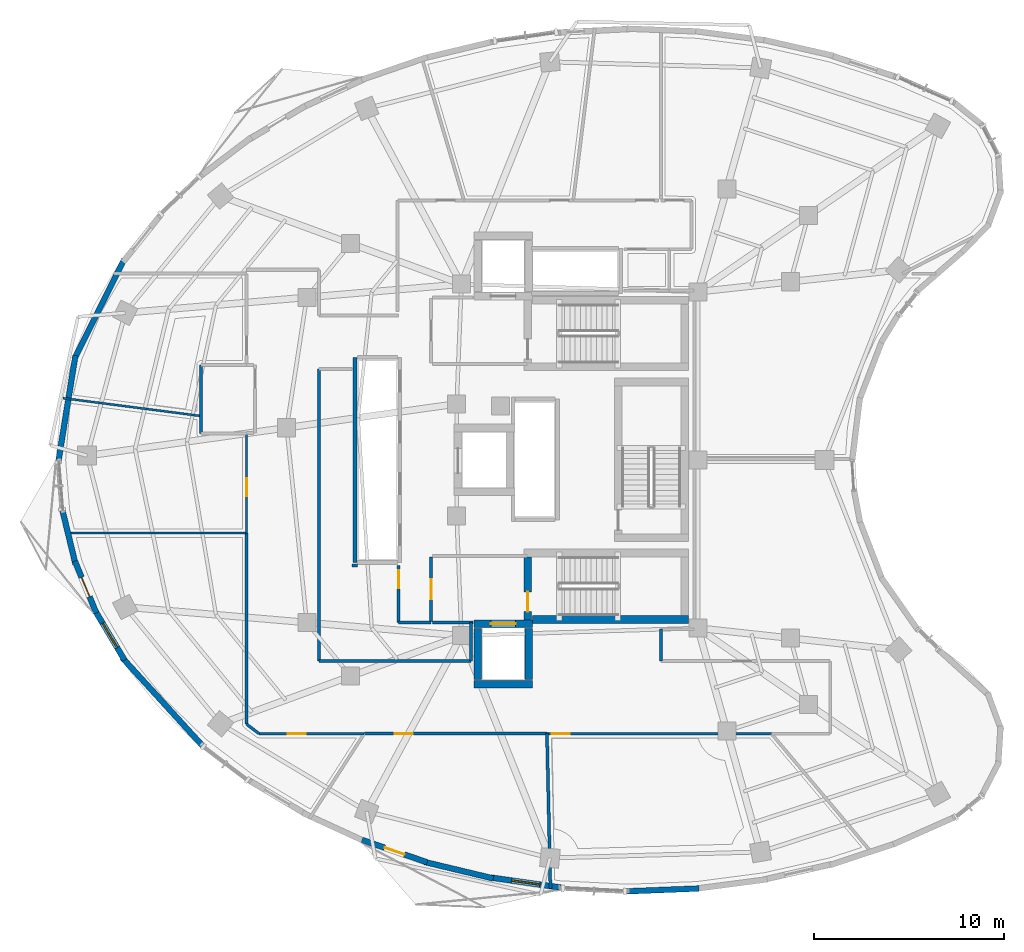
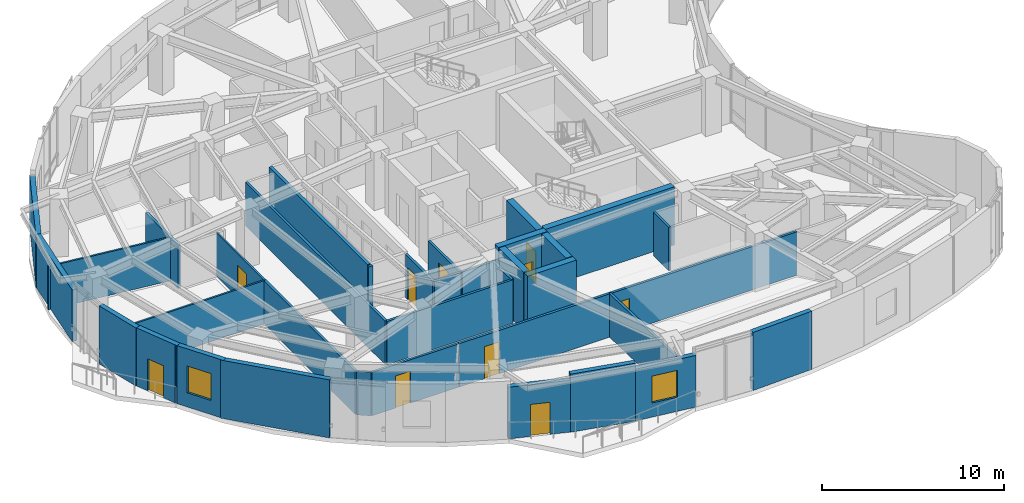
# One storey, part 8 of 15: 36 walls, 10 doors, 2 windows, 12 openings.
"""IFC4 building model written with IfcOpenShell, lengths in metres."""

from ifc_helpers import new_model, si_unit, direction, frame, frame_2d, origin, place, context, subcontext, project, spatial, rectangle, extrude, material, layer, layer_set, type_object, element, fill, save


model = new_model("IFC4")

# Units and contexts
model_context = context("Model", 3, precision=1e-05, world=origin(), true_north=direction((0.0, 1.0)))
body_context = subcontext(model_context, "Body", "Model", "MODEL_VIEW")
ifc_project = project(units=[si_unit("LENGTHUNIT", "METRE"), si_unit("AREAUNIT", "SQUARE_METRE"), si_unit("VOLUMEUNIT", "CUBIC_METRE"), si_unit("PLANEANGLEUNIT", "RADIAN"), si_unit("MASSUNIT", "GRAM", prefix="KILO")], contexts=[model_context])

# Site, building, storey
site_placement = place(None, origin())
site = spatial("IfcSite", under=ifc_project, at=site_placement, CompositionType="ELEMENT")
building_placement = place(site_placement, origin())
building = spatial("IfcBuilding", under=site, at=building_placement, Name="Korentha Bioscience Tower", CompositionType="ELEMENT")
storey_placement = place(building_placement, frame((0.0, 0.0, 226.800048828125)))
storey = spatial("IfcBuildingStorey", under=building, at=storey_placement, Name="L52", CompositionType="ELEMENT", Elevation=226.800048828125)

# Wall, opening, door
ifc_material_1 = material(Name="Double-Stud Acoustic Gypsum", Category="gypsum")
ifc_layer_1 = layer(ifc_material_1, 0.14990234375, Name="Double-Stud Acoustic Gypsum")
ifc_layer_set_1 = layer_set([ifc_layer_1], Name="Double-Stud Acoustic Gypsum (IW-L150)")
wall_type_1 = type_object("IfcWallType", Name="Acoustic Laboratory Partition Wall 150", PredefinedType="PARTITIONING", material=ifc_layer_set_1)
wall_1_placement = place(storey_placement, frame((21.7900390625, 21.43994140625, 0.0), z_axis=(0.0, 0.0, 1.0), x_axis=(0.0, -1.0, 0.0)))
wall_1 = element("IfcWall", 1, at=wall_1_placement, inside=storey, type_object=wall_type_1, Name="L52 Research Colloquium Seminar Room 02 Entrance Wall", PredefinedType="PARTITIONING", context=body_context, shape_type="SweptSolid", body=[
    extrude(rectangle(XDim=2.989990234375, YDim=0.14990234375, at=frame_2d((1.4951171875, 0.0))), origin(), (0.0, 0.0, 1.0), 2.909912109375),
])
opening_1_placement = place(wall_1_placement, frame((0.239990234375, 0.0, 0.0)))
opening_1 = element("IfcOpeningElement", 2, at=opening_1_placement, cuts=wall_1, Name="Opening ID-10R", PredefinedType="OPENING", context=body_context, shape_type="SweptSolid", body=[
    extrude(rectangle(XDim=0.949951171875, YDim=2.14990234375, at=frame_2d((0.47509765625, 1.074951171875))), frame((0.0, 0.08984375, 0.0), z_axis=(0.0, -1.0, 0.0), x_axis=(1.0, 0.0, 0.0)), (0.0, 0.0, 1.0), 0.1796875),
])
ifc_material_2 = material(Name="Phenolic Laminate Timber Core", Category="wood")
door_type_1 = type_object("IfcDoorType", Name="Laboratory Single Leaf Door 950x2150 Right", OperationType="SINGLE_SWING_RIGHT", PredefinedType="DOOR", material=ifc_material_2)
door_1_placement = place(opening_1_placement, origin())
door_1 = element("IfcDoor", 3, at=door_1_placement, inside=storey, type_object=door_type_1, Name="L52 Research Colloquium Seminar Room 02 Door", OperationType="SINGLE_SWING_RIGHT", OverallHeight=2.14990234375, OverallWidth=0.949951171875, PredefinedType="DOOR", context=body_context, shape_type="SweptSolid", body=[
    extrude(rectangle(XDim=0.949951171875, YDim=2.14990234375, at=frame_2d((0.47509765625, 1.074951171875))), frame((0.0, 0.02490234375, 0.0), z_axis=(0.0, -1.0, 0.0), x_axis=(1.0, 0.0, 0.0)), (0.0, 0.0, 1.0), 0.050048828125),
])
fill(opening_1, door_1)

wall_2_placement = place(storey_placement, frame((14.454345703125, 12.590087890625, 0.0), z_axis=(0.0, 0.0, 1.0), x_axis=(1.0, 0.0, 0.0)))
wall_2 = element("IfcWall", 4, at=wall_2_placement, inside=storey, type_object=wall_type_1, Name="L52 Staff Pantry Kitchenette 03 Entrance Wall", PredefinedType="PARTITIONING", context=body_context, shape_type="SweptSolid", body=[
    extrude(rectangle(XDim=5.526611328125, YDim=0.14990234375, at=frame_2d((2.76318359375, 0.0))), origin(), (0.0, 0.0, 1.0), 2.909912109375),
])
opening_2_placement = place(wall_2_placement, frame((1.49560546875, 0.0, 0.0)))
opening_2 = element("IfcOpeningElement", 5, at=opening_2_placement, cuts=wall_2, Name="Opening ID-10L", PredefinedType="OPENING", context=body_context, shape_type="SweptSolid", body=[
    extrude(rectangle(XDim=0.949951171875, YDim=2.14990234375, at=frame_2d((0.47509765625, 1.074951171875))), frame((0.0, 0.08984375, 0.0), z_axis=(0.0, -1.0, 0.0), x_axis=(1.0, 0.0, 0.0)), (0.0, 0.0, 1.0), 0.1796875),
])
door_type_2 = type_object("IfcDoorType", Name="Laboratory Single Leaf Door 950x2150 Left", OperationType="SINGLE_SWING_LEFT", PredefinedType="DOOR", material=ifc_material_2)
door_2_placement = place(opening_2_placement, origin())
door_2 = element("IfcDoor", 6, at=door_2_placement, inside=storey, type_object=door_type_2, Name="L52 Staff Pantry Kitchenette 03 Door", OperationType="SINGLE_SWING_LEFT", OverallHeight=2.14990234375, OverallWidth=0.949951171875, PredefinedType="DOOR", context=body_context, shape_type="SweptSolid", body=[
    extrude(rectangle(XDim=0.949951171875, YDim=2.14990234375, at=frame_2d((0.47509765625, 1.074951171875))), frame((0.0, 0.02490234375, 0.0), z_axis=(0.0, -1.0, 0.0), x_axis=(1.0, 0.0, 0.0)), (0.0, 0.0, 1.0), 0.050048828125),
])
fill(opening_2, door_2)

wall_3_placement = place(storey_placement, frame((29.611572265625, 12.590087890625, 0.0), z_axis=(0.0, 0.0, 1.0), x_axis=(1.0, 0.0, 0.0)))
wall_3 = element("IfcWall", 7, at=wall_3_placement, inside=storey, type_object=wall_type_1, Name="L52 Sterile Media Preparation Kitchen 05 Entrance Wall", PredefinedType="PARTITIONING", context=body_context, shape_type="SweptSolid", body=[
    extrude(rectangle(XDim=11.806396484375, YDim=0.14990234375, at=frame_2d((5.9033203125, 0.0))), origin(), (0.0, 0.0, 1.0), 2.909912109375),
])
opening_3_placement = place(wall_3_placement, frame((0.239990234375, 0.0, 0.0)))
opening_3 = element("IfcOpeningElement", 8, at=opening_3_placement, cuts=wall_3, Name="Opening ID-10L", PredefinedType="OPENING", context=body_context, shape_type="SweptSolid", body=[
    extrude(rectangle(XDim=0.949951171875, YDim=2.14990234375, at=frame_2d((0.47509765625, 1.074951171875))), frame((0.0, 0.08984375, 0.0), z_axis=(0.0, -1.0, 0.0), x_axis=(1.0, 0.0, 0.0)), (0.0, 0.0, 1.0), 0.1796875),
])
door_3_placement = place(opening_3_placement, origin())
door_3 = element("IfcDoor", 9, at=door_3_placement, inside=storey, type_object=door_type_2, Name="L52 Sterile Media Preparation Kitchen 05 Door", OperationType="SINGLE_SWING_LEFT", OverallHeight=2.14990234375, OverallWidth=0.949951171875, PredefinedType="DOOR", context=body_context, shape_type="SweptSolid", body=[
    extrude(rectangle(XDim=0.949951171875, YDim=2.14990234375, at=frame_2d((0.47509765625, 1.074951171875))), frame((0.0, 0.02490234375, 0.0), z_axis=(0.0, -1.0, 0.0), x_axis=(1.0, 0.0, 0.0)), (0.0, 0.0, 1.0), 0.050048828125),
])
fill(opening_3, door_3)

# Walls
wall_4_placement = place(storey_placement, frame((19.35009765625, 21.43994140625, 0.0), z_axis=(0.0, 0.0, 1.0), x_axis=(1.0, 0.0, 0.0)))
element("IfcWall", 10, at=wall_4_placement, inside=storey, type_object=wall_type_1, Name="L52 Interior Partition 023", PredefinedType="PARTITIONING", context=body_context, shape_type="SweptSolid", body=[
    extrude(rectangle(XDim=0.27001953125, YDim=0.14990234375, at=frame_2d((0.135009765625, 0.0))), origin(), (0.0, 0.0, 1.0), 2.909912109375),
])
wall_5_placement = place(storey_placement, frame((21.800048828125, 18.43994140625, 0.0), z_axis=(0.0, 0.0, 1.0), x_axis=(1.0, 0.0, 0.0)))
element("IfcWall", 11, at=wall_5_placement, inside=storey, type_object=wall_type_1, Name="L52 Interior Partition 024", PredefinedType="PARTITIONING", context=body_context, shape_type="SweptSolid", body=[
    extrude(rectangle(XDim=1.68994140625, YDim=0.14990234375, at=frame_2d((0.844970703125, 0.0))), origin(), (0.0, 0.0, 1.0), 2.909912109375),
])
wall_6_placement = place(storey_placement, frame((25.60009765625, 18.435791015625, 0.0), z_axis=(0.0, 0.0, 1.0), x_axis=(0.0, -1.0, 0.0)))
element("IfcWall", 12, at=wall_6_placement, inside=storey, type_object=wall_type_1, Name="L52 Interior Partition 025", PredefinedType="PARTITIONING", context=body_context, shape_type="SweptSolid", body=[
    extrude(rectangle(XDim=2.02587890625, YDim=0.14990234375, at=frame_2d((1.012939453125, 0.0))), origin(), (0.0, 0.0, 1.0), 2.909912109375),
])
wall_7_placement = place(storey_placement, frame((25.60009765625, 16.409912109375, 0.0), z_axis=(0.0, 0.0, 1.0), x_axis=(-1.0, 0.0, 0.0)))
element("IfcWall", 13, at=wall_7_placement, inside=storey, type_object=wall_type_1, Name="L52 Interior Partition 026", PredefinedType="PARTITIONING", context=body_context, shape_type="SweptSolid", body=[
    extrude(rectangle(XDim=7.989990234375, YDim=0.14990234375, at=frame_2d((3.9951171875, 0.0))), origin(), (0.0, 0.0, 1.0), 2.909912109375),
])
wall_8_placement = place(storey_placement, frame((17.610107421875, 16.409912109375, 0.0), z_axis=(0.0, 0.0, 1.0), x_axis=(0.0, 1.0, 0.0)))
element("IfcWall", 14, at=wall_8_placement, inside=storey, type_object=wall_type_1, Name="L52 Interior Partition 027", PredefinedType="PARTITIONING", context=body_context, shape_type="SweptSolid", body=[
    extrude(rectangle(XDim=15.380126953125, YDim=0.14990234375, at=frame_2d((7.68994140625, 0.0))), origin(), (0.0, 0.0, 1.0), 2.909912109375),
])
wall_9_placement = place(storey_placement, frame((13.7900390625, 23.14208984375, 0.0), z_axis=(0.0, 0.0, 1.0), x_axis=(0.0, -1.0, 0.0)))
element("IfcWall", 15, at=wall_9_placement, inside=storey, type_object=wall_type_1, Name="L52 Interior Partition 029", PredefinedType="PARTITIONING", context=body_context, shape_type="SweptSolid", body=[
    extrude(rectangle(XDim=10.0458984375, YDim=0.14990234375, at=frame_2d((5.02294921875, 0.0))), origin(), (0.0, 0.0, 1.0), 2.909912109375),
])
wall_10_placement = place(storey_placement, frame((13.7939453125, 13.088134765625, 0.0), z_axis=(0.0, 0.0, 1.0), x_axis=(0.796957719098, -0.604035093326, 0.0)))
element("IfcWall", 16, at=wall_10_placement, inside=storey, type_object=wall_type_1, Name="L52 Interior Partition 030", PredefinedType="PARTITIONING", context=body_context, shape_type="SweptSolid", body=[
    extrude(rectangle(XDim=0.8212890625, YDim=0.14990234375, at=frame_2d((0.41064453125, 0.0))), origin(), (0.0, 0.0, 1.0), 2.909912109375),
])
wall_11_placement = place(storey_placement, frame((35.60205078125, 16.409912109375, 0.0), z_axis=(0.0, 0.0, 1.0), x_axis=(0.0, 1.0, 0.0)))
element("IfcWall", 17, at=wall_11_placement, inside=storey, type_object=wall_type_1, Name="L52 Interior Partition 039", PredefinedType="PARTITIONING", context=body_context, shape_type="SweptSolid", body=[
    extrude(rectangle(XDim=1.68017578125, YDim=0.14990234375, at=frame_2d((0.840087890625, 0.0))), origin(), (0.0, 0.0, 1.0), 2.909912109375),
])

# Wall, opening, door
ifc_material_3 = material(Name="Fire-Rated Framed Glass", Category="glass")
ifc_layer_2 = layer(ifc_material_3, 0.110107421875, Name="Fire-Rated Framed Glass")
ifc_layer_set_2 = layer_set([ifc_layer_2], Name="Fire-Rated Framed Glass (IW-G110)")
wall_type_2 = type_object("IfcWallType", Name="Demountable Glazed Office Partition 110", PredefinedType="MOVABLE", material=ifc_layer_set_2)
wall_12_placement = place(storey_placement, frame((13.7900390625, 28.389892578125, 0.0), z_axis=(0.0, 0.0, 1.0), x_axis=(0.0, -1.0, 0.0)))
wall_12 = element("IfcWall", 18, at=wall_12_placement, inside=storey, type_object=wall_type_2, Name="L52 Principal Investigator Office 01 Entrance Wall", PredefinedType="MOVABLE", context=body_context, shape_type="SweptSolid", body=[
    extrude(rectangle(XDim=5.23779296875, YDim=0.110107421875, at=frame_2d((2.618896484375, 0.0))), origin(), (0.0, 0.0, 1.0), 2.909912109375),
])
opening_4_placement = place(wall_12_placement, frame((2.35009765625, 0.0, 0.0)))
opening_4 = element("IfcOpeningElement", 19, at=opening_4_placement, cuts=wall_12, Name="Opening ID-10L", PredefinedType="OPENING", context=body_context, shape_type="SweptSolid", body=[
    extrude(rectangle(XDim=0.949951171875, YDim=2.14990234375, at=frame_2d((0.47509765625, 1.074951171875))), frame((0.0, 0.06982421875, 0.0), z_axis=(0.0, -1.0, 0.0), x_axis=(1.0, 0.0, 0.0)), (0.0, 0.0, 1.0), 0.139892578125),
])
door_4_placement = place(opening_4_placement, origin())
door_4 = element("IfcDoor", 20, at=door_4_placement, inside=storey, type_object=door_type_2, Name="L52 Principal Investigator Office 01 Door", OperationType="SINGLE_SWING_LEFT", OverallHeight=2.14990234375, OverallWidth=0.949951171875, PredefinedType="DOOR", context=body_context, shape_type="SweptSolid", body=[
    extrude(rectangle(XDim=0.949951171875, YDim=2.14990234375, at=frame_2d((0.47509765625, 1.074951171875))), frame((0.0, 0.02490234375, 0.0), z_axis=(0.0, -1.0, 0.0), x_axis=(1.0, 0.0, 0.0)), (0.0, 0.0, 1.0), 0.050048828125),
])
fill(opening_4, door_4)

# Walls
wall_13_placement = place(storey_placement, frame((4.122802734375, 30.252685546875, 0.0), z_axis=(0.0, 0.0, 1.0), x_axis=(0.991734568624, -0.128306451111, 0.0)))
element("IfcWall", 21, at=wall_13_placement, inside=storey, type_object=wall_type_2, Name="L52 Interior Partition 021", PredefinedType="MOVABLE", context=body_context, shape_type="SweptSolid", body=[
    extrude(rectangle(XDim=7.32763671875, YDim=0.110107421875, at=frame_2d((3.663818359375, 0.0))), origin(), (0.0, 0.0, 1.0), 2.909912109375),
])
wall_14_placement = place(storey_placement, frame((13.7900390625, 23.152099609375, 0.0), z_axis=(0.0, 0.0, 1.0), x_axis=(-1.0, 0.0, 0.0)))
element("IfcWall", 22, at=wall_14_placement, inside=storey, type_object=wall_type_2, Name="L52 Interior Partition 022", PredefinedType="MOVABLE", context=body_context, shape_type="SweptSolid", body=[
    extrude(rectangle(XDim=9.516845703125, YDim=0.110107421875, at=frame_2d((4.75830078125, 0.0))), origin(), (0.0, 0.0, 1.0), 2.909912109375),
])

# Wall, opening, door
ifc_material_4 = material(Name="Gypsum-Clad Steel Stud", Category="steel")
ifc_layer_3 = layer(ifc_material_4, 0.159912109375, Name="Gypsum-Clad Steel Stud")
ifc_layer_set_3 = layer_set([ifc_layer_3], Name="Gypsum-Clad Steel Stud (IW-C160)")
wall_type_3 = type_object("IfcWallType", Name="Fire-Rated Corridor Partition Wall 160", PredefinedType="PARTITIONING", material=ifc_layer_set_3)
wall_15_placement = place(storey_placement, frame((23.5, 18.5, 0.0), z_axis=(0.0, 0.0, 1.0), x_axis=(0.0, 1.0, 0.0)))
wall_15 = element("IfcWall", 23, at=wall_15_placement, inside=storey, type_object=wall_type_3, Name="L52 FFLS-CW Rated Enclosure Wall", PredefinedType="PARTITIONING", context=body_context, shape_type="SweptSolid", body=[
    extrude(rectangle(XDim=3.39990234375, YDim=0.159912109375, at=frame_2d((1.699951171875, 0.0))), origin(), (0.0, 0.0, 1.0), 2.909912109375),
])
opening_5_placement = place(wall_15_placement, frame((1.175048828125, 0.0, 0.0)))
opening_5 = element("IfcOpeningElement", 24, at=opening_5_placement, cuts=wall_15, Name="Opening FD-90L", PredefinedType="OPENING", context=body_context, shape_type="SweptSolid", body=[
    extrude(rectangle(XDim=1.050048828125, YDim=2.14990234375, at=frame_2d((0.52490234375, 1.074951171875))), frame((0.0, 0.0947265625, 0.0), z_axis=(0.0, -1.0, 0.0), x_axis=(1.0, 0.0, 0.0)), (0.0, 0.0, 1.0), 0.189697265625),
])
ifc_material_5 = material(Name="Powder-Coated Fire-Rated Steel", Category="steel")
door_type_3 = type_object("IfcDoorType", Name="Stairwell Fire Exit Door 1050x2150 Left", OperationType="SINGLE_SWING_LEFT", PredefinedType="DOOR", material=ifc_material_5)
door_5_placement = place(opening_5_placement, origin())
door_5 = element("IfcDoor", 25, at=door_5_placement, inside=storey, type_object=door_type_3, Name="L52 South Firefighting Lobby Door", OperationType="SINGLE_SWING_LEFT", OverallHeight=2.14990234375, OverallWidth=1.050048828125, PredefinedType="DOOR", context=body_context, shape_type="SweptSolid", body=[
    extrude(rectangle(XDim=1.050048828125, YDim=2.14990234375, at=frame_2d((0.52490234375, 1.074951171875))), frame((0.0, 0.02490234375, 0.0), z_axis=(0.0, -1.0, 0.0), x_axis=(1.0, 0.0, 0.0)), (0.0, 0.0, 1.0), 0.050048828125),
])
fill(opening_5, door_5)

# Wall
wall_16_placement = place(storey_placement, frame((23.580078125, 18.449951171875, 0.0), z_axis=(0.0, 0.0, 1.0), x_axis=(1.0, 0.0, 0.0)))
element("IfcWall", 26, at=wall_16_placement, inside=storey, type_object=wall_type_3, Name="L52 Firefighting Lobby Return Wall FFLS-S", PredefinedType="PARTITIONING", context=body_context, shape_type="SweptSolid", body=[
    extrude(rectangle(XDim=2.119873046875, YDim=0.159912109375, at=frame_2d((1.06005859375, 0.0))), origin(), (0.0, 0.0, 1.0), 2.909912109375),
])

# Wall, opening, door
wall_17_placement = place(storey_placement, frame((19.990966796875, 12.590087890625, 0.0), z_axis=(0.0, 0.0, 1.0), x_axis=(1.0, 0.0, 0.0)))
wall_17 = element("IfcWall", 27, at=wall_17_placement, inside=storey, type_object=wall_type_3, Name="L52 Biospecimen Archive Store 04 Entrance Wall", PredefinedType="PARTITIONING", context=body_context, shape_type="SweptSolid", body=[
    extrude(rectangle(XDim=9.610595703125, YDim=0.159912109375, at=frame_2d((4.80517578125, 0.0))), origin(), (0.0, 0.0, 1.0), 2.909912109375),
])
opening_6_placement = place(wall_17_placement, frame((1.591064453125, 0.0, 0.0)))
opening_6 = element("IfcOpeningElement", 28, at=opening_6_placement, cuts=wall_17, Name="Opening ID-10R", PredefinedType="OPENING", context=body_context, shape_type="SweptSolid", body=[
    extrude(rectangle(XDim=0.949951171875, YDim=2.14990234375, at=frame_2d((0.47509765625, 1.074951171875))), frame((0.0, 0.0947265625, 0.0), z_axis=(0.0, -1.0, 0.0), x_axis=(1.0, 0.0, 0.0)), (0.0, 0.0, 1.0), 0.189697265625),
])
door_6_placement = place(opening_6_placement, origin())
door_6 = element("IfcDoor", 29, at=door_6_placement, inside=storey, type_object=door_type_1, Name="L52 Biospecimen Archive Store 04 Door", OperationType="SINGLE_SWING_RIGHT", OverallHeight=2.14990234375, OverallWidth=0.949951171875, PredefinedType="DOOR", context=body_context, shape_type="SweptSolid", body=[
    extrude(rectangle(XDim=0.949951171875, YDim=2.14990234375, at=frame_2d((0.47509765625, 1.074951171875))), frame((0.0, 0.02490234375, 0.0), z_axis=(0.0, -1.0, 0.0), x_axis=(1.0, 0.0, 0.0)), (0.0, 0.0, 1.0), 0.050048828125),
])
fill(opening_6, door_6)

# Walls
wall_18_placement = place(storey_placement, frame((11.39990234375, 28.39990234375, 0.0), z_axis=(0.0, 0.0, 1.0), x_axis=(0.0, 1.0, 0.0)))
element("IfcWall", 30, at=wall_18_placement, inside=storey, type_object=wall_type_3, Name="L52 Interior Partition 019", PredefinedType="PARTITIONING", context=body_context, shape_type="SweptSolid", body=[
    extrude(rectangle(XDim=3.60009765625, YDim=0.159912109375, at=frame_2d((1.800048828125, 0.0))), origin(), (0.0, 0.0, 1.0), 2.909912109375),
])
wall_19_placement = place(storey_placement, frame((29.6015625, 12.590087890625, 0.0), z_axis=(0.0, 0.0, 1.0), x_axis=(0.02244070068, -0.999748175769, 0.0)))
element("IfcWall", 31, at=wall_19_placement, inside=storey, type_object=wall_type_3, Name="L52 Interior Partition 032", PredefinedType="PARTITIONING", context=body_context, shape_type="SweptSolid", body=[
    extrude(rectangle(XDim=8.159423828125, YDim=0.159912109375, at=frame_2d((4.07958984375, 0.0))), origin(), (0.0, 0.0, 1.0), 2.909912109375),
])

# Wall, opening, door
ifc_material_6 = material(Name="Honed Limestone Precast Concrete C40", Category="masonry")
ifc_layer_4 = layer(ifc_material_6, 0.300048828125, Name="Honed Limestone Precast Concrete C40")
ifc_layer_set_4 = layer_set([ifc_layer_4], Name="Honed Limestone Precast Concrete C40 (EW-ST300)")
wall_type_4 = type_object("IfcWallType", Name="Honed Limestone Cavity Spandrel Wall 300", PredefinedType="STANDARD", material=ifc_layer_set_4)
wall_20_placement = place(storey_placement, frame((4.755859375, 21.67578125, 0.0), z_axis=(0.0, 0.0, 1.0), x_axis=(0.381011504275, -0.924570296738, 0.0)))
wall_20 = element("IfcWall", 32, at=wall_20_placement, inside=storey, type_object=wall_type_4, Name="L52 Balcony Threshold Wall 02", PredefinedType="STANDARD", context=body_context, shape_type="SweptSolid", body=[
    extrude(rectangle(XDim=2.955810546875, YDim=0.300048828125, at=frame_2d((1.47802734375, 0.0))), origin(), (0.0, 0.0, 1.0), 3.89990234375),
])
opening_7_placement = place(wall_20_placement, frame((0.927978515625, 0.0, 0.0)))
opening_7 = element("IfcOpeningElement", 33, at=opening_7_placement, cuts=wall_20, Name="Opening BD-11R", PredefinedType="OPENING", context=body_context, shape_type="SweptSolid", body=[
    extrude(rectangle(XDim=1.10009765625, YDim=2.14990234375, at=frame_2d((0.550048828125, 1.074951171875))), frame((0.0, 0.1650390625, 0.0), z_axis=(0.0, -1.0, 0.0), x_axis=(1.0, 0.0, 0.0)), (0.0, 0.0, 1.0), 0.329833984375),
])
ifc_material_7 = material(Name="Thermally Broken Glazed Aluminium", Category="aluminium")
door_type_4 = type_object("IfcDoorType", Name="Balcony Terrace Glazed Door 1100x2150 Right", OperationType="SINGLE_SWING_RIGHT", PredefinedType="DOOR", material=ifc_material_7)
door_7_placement = place(opening_7_placement, origin())
door_7 = element("IfcDoor", 34, at=door_7_placement, inside=storey, type_object=door_type_4, Name="L52 Balcony Access Door 02", OperationType="SINGLE_SWING_RIGHT", OverallHeight=2.14990234375, OverallWidth=1.10009765625, PredefinedType="DOOR", context=body_context, shape_type="SweptSolid", body=[
    extrude(rectangle(XDim=1.10009765625, YDim=2.14990234375, at=frame_2d((0.550048828125, 1.074951171875))), frame((0.0, 0.02490234375, 0.0), z_axis=(0.0, -1.0, 0.0), x_axis=(1.0, 0.0, 0.0)), (0.0, 0.0, 1.0), 0.050048828125),
])
fill(opening_7, door_7)

# Wall, opening, window
wall_21_placement = place(storey_placement, frame((5.818115234375, 19.07080078125, 0.0), z_axis=(0.0, 0.0, 1.0), x_axis=(0.511263271049, -0.859424148879, 0.0)))
wall_21 = element("IfcWall", 35, at=wall_21_placement, inside=storey, type_object=wall_type_4, Name="L52 Honed Limestone Spandrel Wall 22", PredefinedType="STANDARD", context=body_context, shape_type="SweptSolid", body=[
    extrude(rectangle(XDim=3.03564453125, YDim=0.300048828125, at=frame_2d((1.517822265625, 0.0))), origin(), (0.0, 0.0, 1.0), 3.89990234375),
])
opening_8_placement = place(wall_21_placement, frame((0.767822265625, 0.0, 0.949951171875)))
opening_8 = element("IfcOpeningElement", 36, at=opening_8_placement, cuts=wall_21, Name="Opening WN-02", PredefinedType="OPENING", context=body_context, shape_type="SweptSolid", body=[
    extrude(rectangle(XDim=1.5, YDim=1.800048828125, at=frame_2d((0.75, 0.89990234375))), frame((0.0, 0.1650390625, 0.0), z_axis=(0.0, -1.0, 0.0), x_axis=(1.0, 0.0, 0.0)), (0.0, 0.0, 1.0), 0.329833984375),
])
ifc_material_8 = material(Name="Thermally Broken Aluminium Triple Glazing", Category="aluminium")
window_type = type_object("IfcWindowType", Name="Acoustic Operable Office Window 1500x1800", PartitioningType="DOUBLE_PANEL_VERTICAL", PredefinedType="WINDOW", material=ifc_material_8)
window_1_placement = place(opening_8_placement, origin())
window_1 = element("IfcWindow", 37, at=window_1_placement, inside=storey, type_object=window_type, Name="L52 Facade Window 22", OverallHeight=1.800048828125, OverallWidth=1.5, PartitioningType="DOUBLE_PANEL_VERTICAL", PredefinedType="WINDOW", context=body_context, shape_type="SweptSolid", body=[
    extrude(rectangle(XDim=1.5, YDim=1.800048828125, at=frame_2d((0.75, 0.89990234375))), frame((0.0, 0.030029296875, 0.0), z_axis=(0.0, -1.0, 0.0), x_axis=(1.0, 0.0, 0.0)), (0.0, 0.0, 1.0), 0.06005859375),
])
fill(opening_8, window_1)

# Wall, opening, door
wall_22_placement = place(storey_placement, frame((19.864013671875, 7.0, 0.0), z_axis=(0.0, 0.0, 1.0), x_axis=(0.945702753898, -0.325032769531, 0.0)))
wall_22 = element("IfcWall", 38, at=wall_22_placement, inside=storey, type_object=wall_type_4, Name="L52 Balcony Threshold Wall 03", PredefinedType="STANDARD", context=body_context, shape_type="SweptSolid", body=[
    extrude(rectangle(XDim=3.62939453125, YDim=0.300048828125, at=frame_2d((1.814697265625, 0.0))), origin(), (0.0, 0.0, 1.0), 3.469970703125),
])
opening_9_placement = place(wall_22_placement, frame((1.264892578125, 0.0, 0.0)))
opening_9 = element("IfcOpeningElement", 39, at=opening_9_placement, cuts=wall_22, Name="Opening BD-11L", PredefinedType="OPENING", context=body_context, shape_type="SweptSolid", body=[
    extrude(rectangle(XDim=1.10009765625, YDim=2.14990234375, at=frame_2d((0.550048828125, 1.074951171875))), frame((0.0, 0.1650390625, 0.0), z_axis=(0.0, -1.0, 0.0), x_axis=(1.0, 0.0, 0.0)), (0.0, 0.0, 1.0), 0.329833984375),
])
door_type_5 = type_object("IfcDoorType", Name="Balcony Terrace Glazed Door 1100x2150 Left", OperationType="SINGLE_SWING_LEFT", PredefinedType="DOOR", material=ifc_material_7)
door_8_placement = place(opening_9_placement, origin())
door_8 = element("IfcDoor", 40, at=door_8_placement, inside=storey, type_object=door_type_5, Name="L52 Balcony Access Door 03", OperationType="SINGLE_SWING_LEFT", OverallHeight=2.14990234375, OverallWidth=1.10009765625, PredefinedType="DOOR", context=body_context, shape_type="SweptSolid", body=[
    extrude(rectangle(XDim=1.10009765625, YDim=2.14990234375, at=frame_2d((0.550048828125, 1.074951171875))), frame((0.0, 0.02490234375, 0.0), z_axis=(0.0, -1.0, 0.0), x_axis=(1.0, 0.0, 0.0)), (0.0, 0.0, 1.0), 0.050048828125),
])
fill(opening_9, door_8)

# Wall, opening, window
wall_23_placement = place(storey_placement, frame((26.628173828125, 5.022216796875, 0.0), z_axis=(0.0, 0.0, 1.0), x_axis=(0.989905072127, -0.14173195891, 0.0)))
wall_23 = element("IfcWall", 41, at=wall_23_placement, inside=storey, type_object=wall_type_4, Name="L52 Honed Limestone Spandrel Wall 30", PredefinedType="STANDARD", context=body_context, shape_type="SweptSolid", body=[
    extrude(rectangle(XDim=3.741455078125, YDim=0.300048828125, at=frame_2d((1.87060546875, 0.0))), origin(), (0.0, 0.0, 1.0), 3.469970703125),
])
opening_10_placement = place(wall_23_placement, frame((1.12060546875, 0.0, 0.949951171875)))
opening_10 = element("IfcOpeningElement", 42, at=opening_10_placement, cuts=wall_23, Name="Opening WN-02", PredefinedType="OPENING", context=body_context, shape_type="SweptSolid", body=[
    extrude(rectangle(XDim=1.5, YDim=1.800048828125, at=frame_2d((0.75, 0.89990234375))), frame((0.0, 0.1650390625, 0.0), z_axis=(0.0, -1.0, 0.0), x_axis=(1.0, 0.0, 0.0)), (0.0, 0.0, 1.0), 0.329833984375),
])
window_2_placement = place(opening_10_placement, origin())
window_2 = element("IfcWindow", 43, at=window_2_placement, inside=storey, type_object=window_type, Name="L52 Facade Window 30", OverallHeight=1.800048828125, OverallWidth=1.5, PartitioningType="DOUBLE_PANEL_VERTICAL", PredefinedType="WINDOW", context=body_context, shape_type="SweptSolid", body=[
    extrude(rectangle(XDim=1.5, YDim=1.800048828125, at=frame_2d((0.75, 0.89990234375))), frame((0.0, 0.030029296875, 0.0), z_axis=(0.0, -1.0, 0.0), x_axis=(1.0, 0.0, 0.0)), (0.0, 0.0, 1.0), 0.06005859375),
])
fill(opening_10, window_2)

# Walls
wall_24_placement = place(storey_placement, frame((7.363037109375, 37.576904296875, 0.0), z_axis=(0.0, 0.0, 1.0), x_axis=(-0.448240215972, -0.893913143871, 0.0)))
element("IfcWall", 44, at=wall_24_placement, inside=storey, type_object=wall_type_4, Name="L52 Limestone Perimeter Closure Wall 15", PredefinedType="STANDARD", context=body_context, shape_type="SweptSolid", body=[
    extrude(rectangle(XDim=5.89599609375, YDim=0.300048828125, at=frame_2d((2.947998046875, 0.0))), origin(), (0.0, 0.0, 1.0), 3.469970703125),
])
wall_25_placement = place(storey_placement, frame((4.78173828125, 32.497314453125, 0.0), z_axis=(0.0, 0.0, 1.0), x_axis=(-0.158573166105, -0.987347229191, 0.0)))
element("IfcWall", 45, at=wall_25_placement, inside=storey, type_object=wall_type_4, Name="L52 Limestone Perimeter Closure Wall 17", PredefinedType="STANDARD", context=body_context, shape_type="SweptSolid", body=[
    extrude(rectangle(XDim=5.67041015625, YDim=0.300048828125, at=frame_2d((2.835205078125, 0.0))), origin(), (0.0, 0.0, 1.0), 3.469970703125),
])
wall_26_placement = place(storey_placement, frame((4.093505859375, 24.37060546875, 0.0), z_axis=(0.0, 0.0, 1.0), x_axis=(0.235531068122, -0.971866820068, 0.0)))
element("IfcWall", 46, at=wall_26_placement, inside=storey, type_object=wall_type_4, Name="L52 Limestone Perimeter Closure Wall 20", PredefinedType="STANDARD", context=body_context, shape_type="SweptSolid", body=[
    extrude(rectangle(XDim=2.938720703125, YDim=0.300048828125, at=frame_2d((1.46923828125, 0.0))), origin(), (0.0, 0.0, 1.0), 3.89990234375),
])
wall_27_placement = place(storey_placement, frame((7.251708984375, 16.585205078125, 0.0), z_axis=(0.0, 0.0, 1.0), x_axis=(0.673735114185, -0.73897293314, 0.0)))
element("IfcWall", 47, at=wall_27_placement, inside=storey, type_object=wall_type_4, Name="L52 Limestone Perimeter Closure Wall 23", PredefinedType="STANDARD", context=body_context, shape_type="SweptSolid", body=[
    extrude(rectangle(XDim=6.27587890625, YDim=0.300048828125, at=frame_2d((3.137939453125, 0.0))), origin(), (0.0, 0.0, 1.0), 3.89990234375),
])
wall_28_placement = place(storey_placement, frame((23.142578125, 5.84326171875, 0.0), z_axis=(0.0, 0.0, 1.0), x_axis=(0.972475629939, -0.233004611918, 0.0)))
element("IfcWall", 48, at=wall_28_placement, inside=storey, type_object=wall_type_4, Name="L52 Limestone Perimeter Closure Wall 29", PredefinedType="STANDARD", context=body_context, shape_type="SweptSolid", body=[
    extrude(rectangle(XDim=3.7353515625, YDim=0.300048828125, at=frame_2d((1.86767578125, 0.0))), origin(), (0.0, 0.0, 1.0), 3.89990234375),
])
wall_29_placement = place(storey_placement, frame((33.804931640625, 4.29248046875, 0.0), z_axis=(0.0, 0.0, 1.0), x_axis=(0.999221923177, 0.039440439173, 0.0)))
element("IfcWall", 49, at=wall_29_placement, inside=storey, type_object=wall_type_4, Name="L52 Limestone Perimeter Closure Wall 32", PredefinedType="STANDARD", context=body_context, shape_type="SweptSolid", body=[
    extrude(rectangle(XDim=3.806884765625, YDim=0.300048828125, at=frame_2d((1.9033203125, 0.0))), origin(), (0.0, 0.0, 1.0), 3.89990234375),
])
ifc_material_9 = material(Name="Autoclaved Aerated Concrete Block C25", Category="concrete")
ifc_layer_5 = layer(ifc_material_9, 0.199951171875, Name="Autoclaved Aerated Concrete Block C25")
ifc_layer_set_5 = layer_set([ifc_layer_5], Name="Autoclaved Aerated Concrete Block C25 (IW-S200)")
wall_type_5 = type_object("IfcWallType", Name="Lift and Riser Shaft Enclosure Wall 200", PredefinedType="PARTITIONING", material=ifc_layer_set_5)
wall_30_placement = place(storey_placement, frame((19.5, 21.60009765625, 0.0), z_axis=(0.0, 0.0, 1.0), x_axis=(0.0, 1.0, 0.0)))
element("IfcWall", 50, at=wall_30_placement, inside=storey, type_object=wall_type_5, Name="L52 Lift Bank MID Shaft Wall -X", PredefinedType="PARTITIONING", context=body_context, shape_type="SweptSolid", body=[
    extrude(rectangle(XDim=10.7998046875, YDim=0.199951171875, at=frame_2d((5.39990234375, 0.0))), origin(), (0.0, 0.0, 1.0), 2.909912109375),
])
ifc_material_10 = material(Name="Concrete C65", Category="concrete")
ifc_layer_6 = layer(ifc_material_10, 0.39990234375, Name="Concrete C65")
ifc_layer_set_6 = layer_set([ifc_layer_6], Name="Concrete C65 (CW-C65)")
wall_type_6 = type_object("IfcWallType", Name="Mid-Rise Core Shear Wall 400", PredefinedType="SHEAR", material=ifc_layer_set_6)
wall_31_placement = place(storey_placement, frame((28.85205078125, 18.60009765625, 0.0), z_axis=(0.0, 0.0, 1.0), x_axis=(1.0, 0.0, 0.0)))
element("IfcWall", 51, at=wall_31_placement, inside=storey, type_object=wall_type_6, Name="L52 Core Shear Wall ST2-S", PredefinedType="SHEAR", context=body_context, shape_type="SweptSolid", body=[
    extrude(rectangle(XDim=8.197998046875, YDim=0.39990234375, at=frame_2d((4.09912109375, 0.0))), origin(), (0.0, 0.0, 1.0), 3.89990234375),
])

# Wall, opening, door
wall_32_placement = place(storey_placement, frame((28.60009765625, 18.58203125, 0.0), z_axis=(0.0, 0.0, 1.0), x_axis=(0.0, 1.0, 0.0)))
wall_32 = element("IfcWall", 52, at=wall_32_placement, inside=storey, type_object=wall_type_6, Name="L52 Core Shear Wall ST2-W", PredefinedType="SHEAR", context=body_context, shape_type="SweptSolid", body=[
    extrude(rectangle(XDim=3.307861328125, YDim=0.39990234375, at=frame_2d((1.65380859375, 0.0))), origin(), (0.0, 0.0, 1.0), 3.89990234375),
])
opening_11_placement = place(wall_32_placement, frame((0.427978515625, 0.0, 0.0)))
opening_11 = element("IfcOpeningElement", 53, at=opening_11_placement, cuts=wall_32, Name="Opening FD-90L", PredefinedType="OPENING", context=body_context, shape_type="SweptSolid", body=[
    extrude(rectangle(XDim=1.050048828125, YDim=2.14990234375, at=frame_2d((0.52490234375, 1.074951171875))), frame((0.0, 0.21484375, 0.0), z_axis=(0.0, -1.0, 0.0), x_axis=(1.0, 0.0, 0.0)), (0.0, 0.0, 1.0), 0.4296875),
])
door_9_placement = place(opening_11_placement, origin())
door_9 = element("IfcDoor", 54, at=door_9_placement, inside=storey, type_object=door_type_3, Name="L52 ST-2 Fire Exit Stair Door", OperationType="SINGLE_SWING_LEFT", OverallHeight=2.14990234375, OverallWidth=1.050048828125, PredefinedType="DOOR", context=body_context, shape_type="SweptSolid", body=[
    extrude(rectangle(XDim=1.050048828125, YDim=2.14990234375, at=frame_2d((0.52490234375, 1.074951171875))), frame((0.0, 0.02490234375, 0.0), z_axis=(0.0, -1.0, 0.0), x_axis=(1.0, 0.0, 0.0)), (0.0, 0.0, 1.0), 0.050048828125),
])
fill(opening_11, door_9)

# Wall
wall_33_placement = place(storey_placement, frame((25.75, 15.199951171875, 0.0), z_axis=(0.0, 0.0, 1.0), x_axis=(1.0, 0.0, 0.0)))
element("IfcWall", 55, at=wall_33_placement, inside=storey, type_object=wall_type_6, Name="L52 Core Shear Wall FFL1-S", PredefinedType="SHEAR", context=body_context, shape_type="SweptSolid", body=[
    extrude(rectangle(XDim=3.10009765625, YDim=0.39990234375, at=frame_2d((1.550048828125, 0.0))), origin(), (0.0, 0.0, 1.0), 3.89990234375),
])

# Wall, opening, door
wall_34_placement = place(storey_placement, frame((25.75, 18.3798828125, 0.0), z_axis=(0.0, 0.0, 1.0), x_axis=(1.0, 0.0, 0.0)))
wall_34 = element("IfcWall", 56, at=wall_34_placement, inside=storey, type_object=wall_type_6, Name="L52 Core Shear Wall FFL1-N", PredefinedType="SHEAR", context=body_context, shape_type="SweptSolid", body=[
    extrude(rectangle(XDim=3.10009765625, YDim=0.39990234375, at=frame_2d((1.550048828125, 0.0))), origin(), (0.0, 0.0, 1.0), 3.89990234375),
])
opening_12_placement = place(wall_34_placement, frame((0.89990234375, 0.0, 0.0)))
opening_12 = element("IfcOpeningElement", 57, at=opening_12_placement, cuts=wall_34, Name="Opening LD-13", PredefinedType="OPENING", context=body_context, shape_type="SweptSolid", body=[
    extrude(rectangle(XDim=1.300048828125, YDim=2.199951171875, at=frame_2d((0.64990234375, 1.10009765625))), frame((0.0, 0.21484375, 0.0), z_axis=(0.0, -1.0, 0.0), x_axis=(1.0, 0.0, 0.0)), (0.0, 0.0, 1.0), 0.4296875),
])
ifc_material_11 = material(Name="Brushed Stainless Steel 316", Category="steel")
door_type_6 = type_object("IfcDoorType", Name="Service & Firefighting Lift Landing Door 1300x2300", OperationType="DOUBLE_DOOR_SLIDING", PredefinedType="DOOR", material=ifc_material_11)
door_10_placement = place(opening_12_placement, origin())
door_10 = element("IfcDoor", 58, at=door_10_placement, inside=storey, type_object=door_type_6, Name="L52 FFL-1 Sliding Lift Landing Door", OperationType="DOUBLE_DOOR_SLIDING", OverallHeight=2.199951171875, OverallWidth=1.300048828125, PredefinedType="DOOR", context=body_context, shape_type="SweptSolid", body=[
    extrude(rectangle(XDim=1.300048828125, YDim=2.199951171875, at=frame_2d((0.64990234375, 1.10009765625))), frame((0.0, 0.02490234375, 0.0), z_axis=(0.0, -1.0, 0.0), x_axis=(1.0, 0.0, 0.0)), (0.0, 0.0, 1.0), 0.050048828125),
])
fill(opening_12, door_10)

# Walls
for number, where, z_axis, x_axis, name in (
    (59, (25.949951171875, 15.43994140625, 0.0), (0.0, 0.0, 1.0), (0.0, 1.0, 0.0), "L52 Core Shear Wall FFL1-W"),
    (60, (28.64990234375, 15.43994140625, 0.0), (0.0, 0.0, 1.0), (0.0, 1.0, 0.0), "L52 Core Shear Wall FFL1-E"),
):
    element("IfcWall", number, at=place(storey_placement, frame(where, z_axis=z_axis, x_axis=x_axis)), inside=storey, type_object=wall_type_6, Name=name, PredefinedType="SHEAR", context=body_context, shape_type="SweptSolid", body=[
        extrude(rectangle(XDim=2.699951171875, YDim=0.39990234375, at=frame_2d((1.35009765625, 0.0))), origin(), (0.0, 0.0, 1.0), 3.89990234375),
    ])

save(model, "model.ifc")
